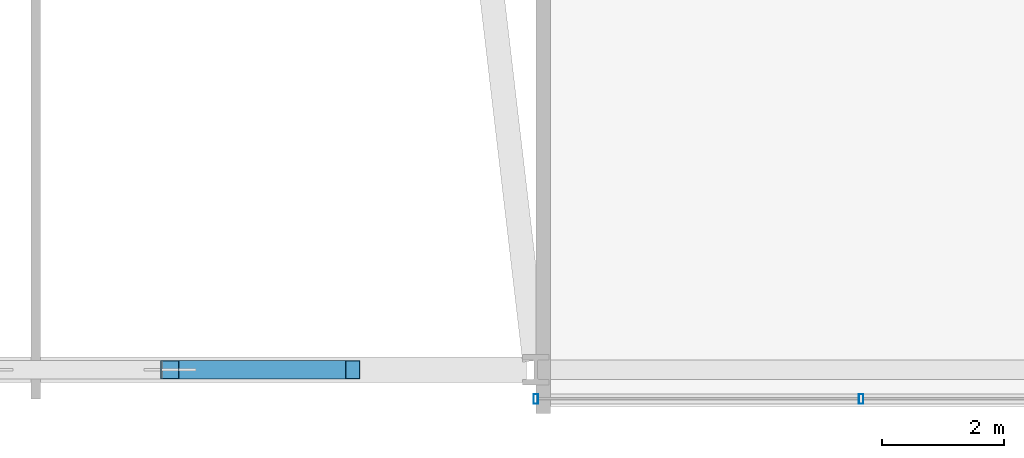
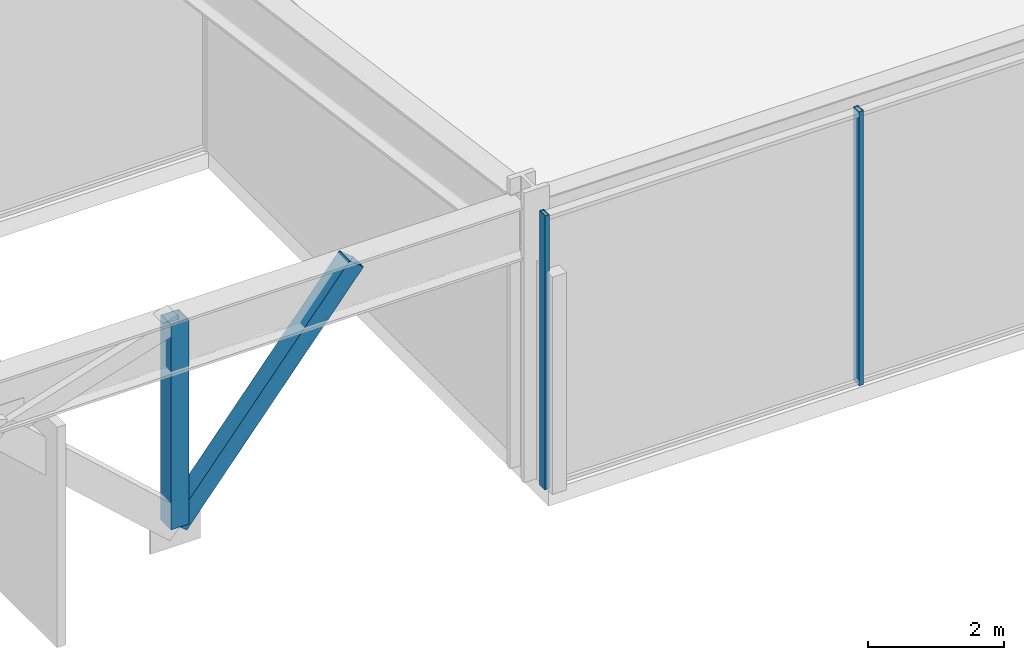
# One storey, part 16 of 49: 4 members, 1 element without a shape of its own.
"""IFC4 building model written with IfcOpenShell, lengths in metres."""

from ifc_helpers import new_model, si_unit, direction, frame, origin, origin_2d, place, context, subcontext, project, spatial, hollow_rectangle, extrude, material, material_profile, profile_set, type_object, element, aggregate, save


model = new_model("IFC4")

# Units and contexts
model_context = context("Model", 3, precision=1e-05, world=origin(), true_north=direction((0.0, 1.0)))
body_context = subcontext(model_context, "Body", "Model", "MODEL_VIEW")
ifc_project = project(units=[si_unit("LENGTHUNIT", "METRE"), si_unit("AREAUNIT", "SQUARE_METRE"), si_unit("VOLUMEUNIT", "CUBIC_METRE"), si_unit("PLANEANGLEUNIT", "RADIAN"), si_unit("MASSUNIT", "GRAM", prefix="KILO")], contexts=[model_context])

# Site, building, storey
site_placement = place(None, origin())
site = spatial("IfcSite", under=ifc_project, at=site_placement, CompositionType="ELEMENT")
building_placement = place(site_placement, origin())
building = spatial("IfcBuilding", under=site, at=building_placement, Name="Kolvaren Belvedere", CompositionType="ELEMENT")
storey_placement = place(building_placement, frame((0.0, 0.0, 10.0)))
storey = spatial("IfcBuildingStorey", under=building, at=storey_placement, Name="L03", CompositionType="ELEMENT", Elevation=10.0)

# Curtain wall, members
ifc_material_1 = material(Name="Anodised pale-metal aluminium AA 6063-T6", Category="aluminium")
curtain_wall_type = type_object("IfcCurtainWallType", Name="CW-POD-A", PredefinedType="NOTDEFINED", material=ifc_material_1)
curtain_wall_placement = place(storey_placement, origin())
curtain_wall = element("IfcCurtainWall", 1, at=curtain_wall_placement, inside=storey, type_object=curtain_wall_type, Name="L03 Unitised Curtain Wall FCW-L03-SEG5", PredefinedType="NOTDEFINED")
ifc_material_2 = material(Name="Anodised pale-metal aluminium AA 6063-T6", Category="aluminium")
ifc_material_profile_1 = material_profile(ifc_material_2, hollow_rectangle(XDim=0.074951171875, YDim=0.159912109375, WallThickness=0.00439453125, at=origin_2d()), Name="ALU-MUL-160X75")
ifc_profile_set_1 = profile_set([ifc_material_profile_1], Name="Anodised pale-metal aluminium AA 6063-T6")
member_type_1 = type_object("IfcMemberType", Name="CW-MUL-160", PredefinedType="MULLION", material=ifc_profile_set_1)
member_1_placement = place(storey_placement, frame((17.333251953125, -28.280029296875, 0.0), z_axis=(0.0, 0.0, 1.0), x_axis=(1.0, 0.0, 0.0)))
member_1 = element("IfcMember", 2, at=member_1_placement, type_object=member_type_1, Name="FCW-L03-SEG5 Unitised Mullion 3", PredefinedType="MULLION", context=body_context, shape_type="SweptSolid", body=[
    extrude(hollow_rectangle(XDim=0.074951171875, YDim=0.159912109375, WallThickness=0.00439453125, at=origin_2d()), origin(), (0.0, 0.0, 1.0), 4.919921875),
])
member_2_placement = place(storey_placement, frame((12.0, -28.280029296875, 0.0), z_axis=(0.0, 0.0, 1.0), x_axis=(1.0, 0.0, 0.0)))
member_2 = element("IfcMember", 3, at=member_2_placement, type_object=member_type_1, Name="FCW-L03-SEG5 Unitised Mullion 4", PredefinedType="MULLION", context=body_context, shape_type="SweptSolid", body=[
    extrude(hollow_rectangle(XDim=0.074951171875, YDim=0.159912109375, WallThickness=0.00439453125, at=origin_2d()), origin(), (0.0, 0.0, 1.0), 4.919921875),
])
aggregate(curtain_wall, [member_1, member_2])

# Members
ifc_material_3 = material(Name="Structural steel ASTM A500 Grade C", Category="steel")
ifc_material_profile_2 = material_profile(ifc_material_3, hollow_rectangle(XDim=0.304931640625, YDim=0.304931640625, WallThickness=0.01171875, at=origin_2d()), Name="HSS12X12X1/2")
ifc_profile_set_2 = profile_set([ifc_material_profile_2], Name="Structural steel ASTM A500 Grade C")
member_type_2 = type_object("IfcMemberType", Name="MB-ARCH-WEB", PredefinedType="BRACE", material=ifc_profile_set_2)
member_3_placement = place(storey_placement, frame((6.0, -27.800048828125, 1.175048828125), z_axis=(0.0, 0.0, 1.0), x_axis=(1.0, 0.0, 0.0)))
element("IfcMember", 4, at=member_3_placement, inside=storey, type_object=member_type_2, Name="Portal Arch Spandrel Web AW-6", PredefinedType="BRACE", context=body_context, shape_type="SweptSolid", body=[
    extrude(hollow_rectangle(XDim=0.304931640625, YDim=0.304931640625, WallThickness=0.01171875, at=origin_2d()), origin(), (0.0, 0.0, 1.0), 3.675048828125),
])
member_4_placement = place(storey_placement, frame((6.0, -27.800048828125, 1.175048828125), z_axis=(0.632371447832, 0.0, 0.774665316099), x_axis=(0.0, 1.0, 0.0)))
element("IfcMember", 5, at=member_4_placement, inside=storey, type_object=member_type_2, Name="Portal Arch Web Diagonal AD-6", PredefinedType="BRACE", context=body_context, shape_type="SweptSolid", body=[
    extrude(hollow_rectangle(XDim=0.304931640625, YDim=0.304931640625, WallThickness=0.01171875, at=origin_2d()), origin(), (0.0, 0.0, 1.0), 4.744140625),
])

save(model, "model.ifc")
